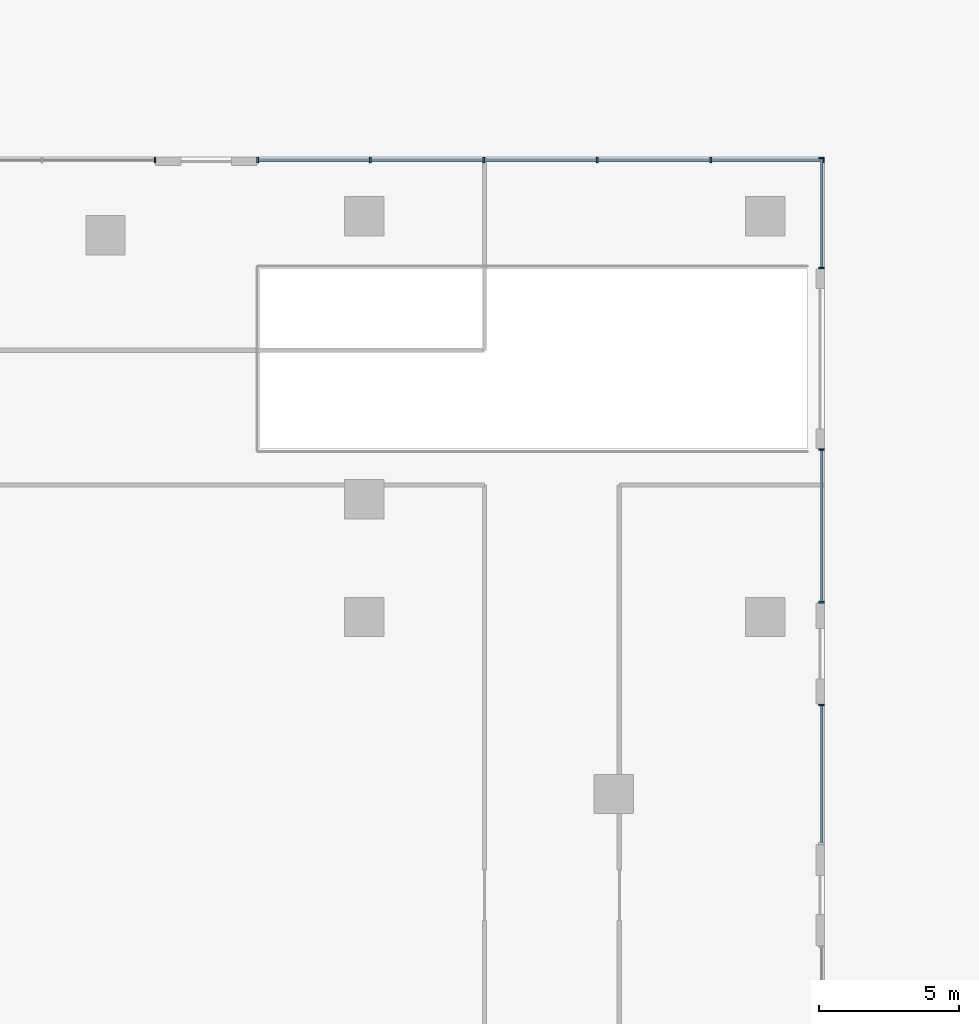
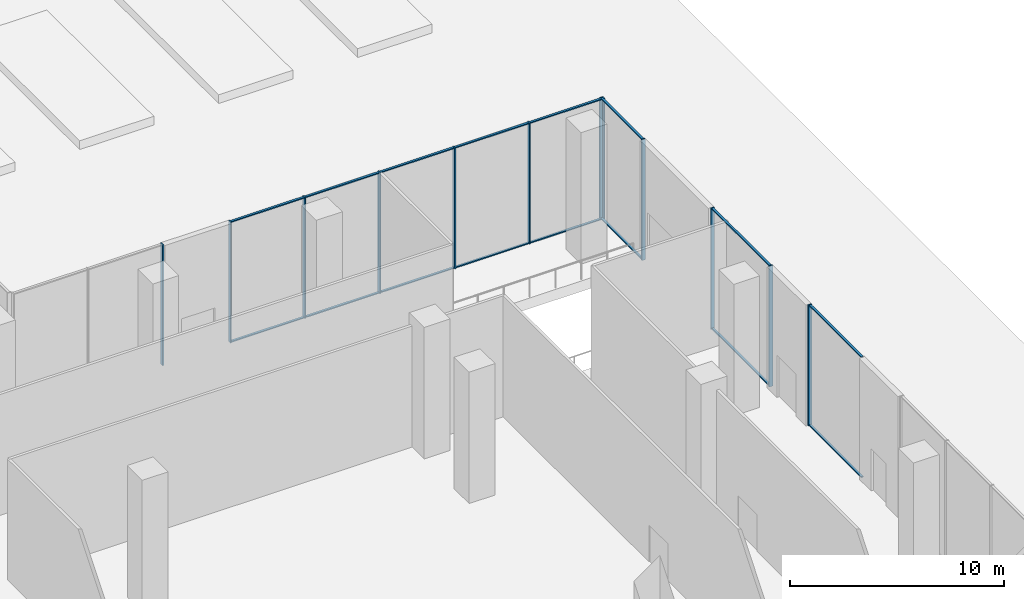
# One storey, part 8 of 26: 28 members, 5 elements without a shape of their own.
"""IFC4 building model written with IfcOpenShell, lengths in metres."""

from ifc_helpers import new_model, si_unit, direction, frame, origin, origin_2d, place, context, subcontext, project, spatial, rectangle, extrude, source, transform, mapped, material, layer, layer_set, material_profile, profile_set, type_object, element, aggregate, save


model = new_model("IFC4")

# Units and contexts
model_context = context("Model", 3, precision=1e-05, world=origin(), true_north=direction((0.0, 1.0)))
body_context = subcontext(model_context, "Body", "Model", "MODEL_VIEW")
ifc_project = project(units=[si_unit("LENGTHUNIT", "METRE"), si_unit("AREAUNIT", "SQUARE_METRE"), si_unit("VOLUMEUNIT", "CUBIC_METRE"), si_unit("PLANEANGLEUNIT", "RADIAN"), si_unit("MASSUNIT", "GRAM", prefix="KILO")], contexts=[model_context])

# Site, building, storey
site_placement = place(None, origin())
site = spatial("IfcSite", under=ifc_project, at=site_placement, CompositionType="ELEMENT")
building_placement = place(site_placement, origin())
building = spatial("IfcBuilding", under=site, at=building_placement, Name="Aurelian Terraces", CompositionType="ELEMENT")
storey_placement = place(building_placement, origin())
storey = spatial("IfcBuildingStorey", under=building, at=storey_placement, Name="L00", CompositionType="ELEMENT", Elevation=0.0)

# Curtain wall, member
ifc_material_1 = material(Name="Anodised aluminium and clear glazing", Category="aluminium")
ifc_layer = layer(ifc_material_1, 0.2)
ifc_layer_set = layer_set([ifc_layer], Name="Podium shopfront curtain wall")
curtain_wall_type = type_object("IfcCurtainWallType", Name="Podium shopfront curtain wall", PredefinedType="NOTDEFINED", material=ifc_layer_set)
curtain_wall_1_placement = place(storey_placement, origin())
curtain_wall_1 = element("IfcCurtainWall", 1, at=curtain_wall_1_placement, inside=storey, type_object=curtain_wall_type, Name="Podium shopfront L00 F02.5", PredefinedType="NOTDEFINED")
ifc_material_2 = material(Name="Anodised aluminium", Category="aluminium")
ifc_material_profile_1 = material_profile(ifc_material_2, rectangle(XDim=0.12, YDim=0.06, at=origin_2d()))
ifc_profile_set_1 = profile_set([ifc_material_profile_1], Name="Anodised aluminium")
member_type_1 = type_object("IfcMemberType", Name="Podium shopfront transom", PredefinedType="USERDEFINED", material=ifc_profile_set_1)
member_1_placement = place(storey_placement, frame((86.0, 29.76, 0.03), z_axis=(0.0, 1.0, 0.0), x_axis=(-1.0, 0.0, 0.0)))
member_1 = element("IfcMember", 2, at=member_1_placement, type_object=member_type_1, Name="CW1 transom 1.1", ObjectType="TRANSOM", PredefinedType="USERDEFINED", context=body_context, shape_type="SweptSolid", body=[
    extrude(rectangle(XDim=0.12, YDim=0.06, at=origin_2d()), origin(), (0.0, 0.0, 1.0), 4.88),
])

curtain_wall_2_placement = place(storey_placement, origin())
curtain_wall_2 = element("IfcCurtainWall", 3, at=curtain_wall_2_placement, inside=storey, type_object=curtain_wall_type, Name="Podium shopfront L00 F02.7", PredefinedType="NOTDEFINED")
member_2_placement = place(storey_placement, frame((86.0, 38.36, 0.03), z_axis=(0.0, 1.0, 0.0), x_axis=(-1.0, 0.0, 0.0)))
member_2 = element("IfcMember", 4, at=member_2_placement, type_object=member_type_1, Name="CW1 transom 1.1", ObjectType="TRANSOM", PredefinedType="USERDEFINED", context=body_context, shape_type="SweptSolid", body=[
    extrude(rectangle(XDim=0.12, YDim=0.06, at=origin_2d()), origin(), (0.0, 0.0, 1.0), 5.38),
])

curtain_wall_3_placement = place(storey_placement, origin())
curtain_wall_3 = element("IfcCurtainWall", 5, at=curtain_wall_3_placement, inside=storey, type_object=curtain_wall_type, Name="Podium shopfront L00 F02.9", PredefinedType="NOTDEFINED")
member_3_placement = place(storey_placement, frame((86.0, 50.26, 0.03), z_axis=(0.0, 1.0, 0.0), x_axis=(-1.0, 0.0, 0.0)))
member_3 = element("IfcMember", 6, at=member_3_placement, type_object=member_type_1, Name="CW1 transom 1.1", ObjectType="TRANSOM", PredefinedType="USERDEFINED", context=body_context, shape_type="SweptSolid", body=[
    extrude(rectangle(XDim=0.12, YDim=0.06, at=origin_2d()), origin(), (0.0, 0.0, 1.0), 3.86),
])

# Curtain wall, members
curtain_wall_4_placement = place(storey_placement, origin())
curtain_wall_4 = element("IfcCurtainWall", 7, at=curtain_wall_4_placement, inside=storey, type_object=curtain_wall_type, Name="Podium shopfront L00 F03.1", PredefinedType="NOTDEFINED")
member_4_placement = place(storey_placement, frame((86.04, 54.08, 0.03), z_axis=(-1.0, 0.0, 0.0), x_axis=(0.0, -1.0, 0.0)))
member_4 = element("IfcMember", 8, at=member_4_placement, type_object=member_type_1, Name="CW1 transom 1.1", ObjectType="TRANSOM", PredefinedType="USERDEFINED", context=body_context, shape_type="SweptSolid", body=[
    extrude(rectangle(XDim=0.12, YDim=0.06, at=origin_2d()), origin(), (0.0, 0.0, 1.0), 3.952),
])
member_5_placement = place(storey_placement, frame((82.028, 54.08, 0.03), z_axis=(-1.0, 0.0, 0.0), x_axis=(0.0, -1.0, 0.0)))
member_5 = element("IfcMember", 9, at=member_5_placement, type_object=member_type_1, Name="CW1 transom 2.1", ObjectType="TRANSOM", PredefinedType="USERDEFINED", context=body_context, shape_type="SweptSolid", body=[
    extrude(rectangle(XDim=0.12, YDim=0.06, at=origin_2d()), origin(), (0.0, 0.0, 1.0), 3.982),
])

# Member
ifc_material_profile_2 = material_profile(ifc_material_2, rectangle(XDim=0.2, YDim=0.06, at=origin_2d()))
ifc_profile_set_2 = profile_set([ifc_material_profile_2], Name="Anodised aluminium")
member_type_2 = type_object("IfcMemberType", Name="Podium shopfront mullion", PredefinedType="MULLION", material=ifc_profile_set_2)
shared_shape_1 = source(origin(), body_context, "Body", "SweptSolid", [
    extrude(rectangle(XDim=0.2, YDim=0.06, at=origin_2d()), origin(), (0.0, 0.0, 1.0), 6.9),
])
member_6_placement = place(storey_placement, frame((86.0, 34.67, 0.0), z_axis=(0.0, 0.0, 1.0), x_axis=(-1.0, 0.0, 0.0)))
member_6 = element("IfcMember", 10, at=member_6_placement, type_object=member_type_2, Name="CW1 mullion 2", PredefinedType="MULLION", context=body_context, shape_type="MappedRepresentation", body=[
    mapped(shared_shape_1, transform((0.0, 0.0, 0.0), scale=1.0)),
])

member_7_placement = place(storey_placement, frame((86.0, 38.33, 0.0), z_axis=(0.0, 0.0, 1.0), x_axis=(-1.0, 0.0, 0.0)))
member_7 = element("IfcMember", 11, at=member_7_placement, type_object=member_type_2, Name="CW1 mullion 1", PredefinedType="MULLION", context=body_context, shape_type="MappedRepresentation", body=[
    mapped(shared_shape_1, transform((0.0, 0.0, 0.0), scale=1.0)),
])

member_8_placement = place(storey_placement, frame((86.0, 43.77, 0.0), z_axis=(0.0, 0.0, 1.0), x_axis=(-1.0, 0.0, 0.0)))
member_8 = element("IfcMember", 12, at=member_8_placement, type_object=member_type_2, Name="CW1 mullion 2", PredefinedType="MULLION", context=body_context, shape_type="MappedRepresentation", body=[
    mapped(shared_shape_1, transform((0.0, 0.0, 0.0), scale=1.0)),
])

member_9_placement = place(storey_placement, frame((86.0, 50.23, 0.0), z_axis=(0.0, 0.0, 1.0), x_axis=(-1.0, 0.0, 0.0)))
member_9 = element("IfcMember", 13, at=member_9_placement, type_object=member_type_2, Name="CW1 mullion 1", PredefinedType="MULLION", context=body_context, shape_type="MappedRepresentation", body=[
    mapped(shared_shape_1, transform((0.0, 0.0, 0.0), scale=1.0)),
])

member_10_placement = place(storey_placement, frame((86.0, 54.15, 0.0), z_axis=(0.0, 0.0, 1.0), x_axis=(-1.0, 0.0, 0.0)))
member_10 = element("IfcMember", 14, at=member_10_placement, type_object=member_type_2, Name="CW1 mullion 2", PredefinedType="MULLION", context=body_context, shape_type="MappedRepresentation", body=[
    mapped(shared_shape_1, transform((0.0, 0.0, 0.0), scale=1.0)),
])

member_11_placement = place(storey_placement, frame((86.07, 54.08, 0.0), z_axis=(0.0, 0.0, 1.0), x_axis=(0.0, -1.0, 0.0)))
member_11 = element("IfcMember", 15, at=member_11_placement, type_object=member_type_2, Name="CW1 mullion 1", PredefinedType="MULLION", context=body_context, shape_type="MappedRepresentation", body=[
    mapped(shared_shape_1, transform((0.0, 0.0, 0.0), scale=1.0)),
])

member_12_placement = place(storey_placement, frame((82.058, 54.08, 0.0), z_axis=(0.0, 0.0, 1.0), x_axis=(0.0, -1.0, 0.0)))
member_12 = element("IfcMember", 16, at=member_12_placement, type_object=member_type_2, Name="CW1 mullion 2", PredefinedType="MULLION", context=body_context, shape_type="MappedRepresentation", body=[
    mapped(shared_shape_1, transform((0.0, 0.0, 0.0), scale=1.0)),
])

member_13_placement = place(storey_placement, frame((78.016, 54.08, 0.0), z_axis=(0.0, 0.0, 1.0), x_axis=(0.0, -1.0, 0.0)))
member_13 = element("IfcMember", 17, at=member_13_placement, type_object=member_type_2, Name="CW1 mullion 3", PredefinedType="MULLION", context=body_context, shape_type="MappedRepresentation", body=[
    mapped(shared_shape_1, transform((0.0, 0.0, 0.0), scale=1.0)),
])

member_14_placement = place(storey_placement, frame((73.974, 54.08, 0.0), z_axis=(0.0, 0.0, 1.0), x_axis=(0.0, -1.0, 0.0)))
member_14 = element("IfcMember", 18, at=member_14_placement, type_object=member_type_2, Name="CW1 mullion 4", PredefinedType="MULLION", context=body_context, shape_type="MappedRepresentation", body=[
    mapped(shared_shape_1, transform((0.0, 0.0, 0.0), scale=1.0)),
])

member_15_placement = place(storey_placement, frame((69.932, 54.08, 0.0), z_axis=(0.0, 0.0, 1.0), x_axis=(0.0, -1.0, 0.0)))
member_15 = element("IfcMember", 19, at=member_15_placement, type_object=member_type_2, Name="CW1 mullion 5", PredefinedType="MULLION", context=body_context, shape_type="MappedRepresentation", body=[
    mapped(shared_shape_1, transform((0.0, 0.0, 0.0), scale=1.0)),
])

member_16_placement = place(storey_placement, frame((65.92, 54.08, 0.0), z_axis=(0.0, 0.0, 1.0), x_axis=(0.0, -1.0, 0.0)))
member_16 = element("IfcMember", 20, at=member_16_placement, type_object=member_type_2, Name="CW1 mullion 6", PredefinedType="MULLION", context=body_context, shape_type="MappedRepresentation", body=[
    mapped(shared_shape_1, transform((0.0, 0.0, 0.0), scale=1.0)),
])

# Curtain wall, member
curtain_wall_5_placement = place(storey_placement, origin())
curtain_wall_5 = element("IfcCurtainWall", 21, at=curtain_wall_5_placement, inside=storey, type_object=curtain_wall_type, Name="Podium shopfront L00 F03.3", PredefinedType="NOTDEFINED")
member_17_placement = place(storey_placement, frame((62.26, 54.08, 0.0), z_axis=(0.0, 0.0, 1.0), x_axis=(0.0, -1.0, 0.0)))
member_17 = element("IfcMember", 22, at=member_17_placement, type_object=member_type_2, Name="CW1 mullion 1", PredefinedType="MULLION", context=body_context, shape_type="MappedRepresentation", body=[
    mapped(shared_shape_1, transform((0.0, 0.0, 0.0), scale=1.0)),
])
aggregate(curtain_wall_5, [member_17])

# Member
shared_shape_2 = source(origin(), body_context, "Body", "SweptSolid", [
    extrude(rectangle(XDim=0.12, YDim=0.06, at=origin_2d()), origin(), (0.0, 0.0, 1.0), 4.88),
])
member_18_placement = place(storey_placement, frame((86.0, 29.76, 6.87), z_axis=(0.0, 1.0, 0.0), x_axis=(-1.0, 0.0, 0.0)))
member_18 = element("IfcMember", 23, at=member_18_placement, type_object=member_type_1, Name="CW1 transom 1.2", ObjectType="TRANSOM", PredefinedType="USERDEFINED", context=body_context, shape_type="MappedRepresentation", body=[
    mapped(shared_shape_2, transform((0.0, 0.0, 0.0), scale=1.0)),
])

aggregate(curtain_wall_1, [member_6, member_1, member_18])

shared_shape_3 = source(origin(), body_context, "Body", "SweptSolid", [
    extrude(rectangle(XDim=0.12, YDim=0.06, at=origin_2d()), origin(), (0.0, 0.0, 1.0), 5.38),
])
member_19_placement = place(storey_placement, frame((86.0, 38.36, 6.87), z_axis=(0.0, 1.0, 0.0), x_axis=(-1.0, 0.0, 0.0)))
member_19 = element("IfcMember", 24, at=member_19_placement, type_object=member_type_1, Name="CW1 transom 1.2", ObjectType="TRANSOM", PredefinedType="USERDEFINED", context=body_context, shape_type="MappedRepresentation", body=[
    mapped(shared_shape_3, transform((0.0, 0.0, 0.0), scale=1.0)),
])

aggregate(curtain_wall_2, [member_7, member_8, member_2, member_19])

shared_shape_4 = source(origin(), body_context, "Body", "SweptSolid", [
    extrude(rectangle(XDim=0.12, YDim=0.06, at=origin_2d()), origin(), (0.0, 0.0, 1.0), 3.86),
])
member_20_placement = place(storey_placement, frame((86.0, 50.26, 6.87), z_axis=(0.0, 1.0, 0.0), x_axis=(-1.0, 0.0, 0.0)))
member_20 = element("IfcMember", 25, at=member_20_placement, type_object=member_type_1, Name="CW1 transom 1.2", ObjectType="TRANSOM", PredefinedType="USERDEFINED", context=body_context, shape_type="MappedRepresentation", body=[
    mapped(shared_shape_4, transform((0.0, 0.0, 0.0), scale=1.0)),
])

aggregate(curtain_wall_3, [member_9, member_10, member_3, member_20])

shared_shape_5 = source(origin(), body_context, "Body", "SweptSolid", [
    extrude(rectangle(XDim=0.12, YDim=0.06, at=origin_2d()), origin(), (0.0, 0.0, 1.0), 3.952),
])
member_21_placement = place(storey_placement, frame((86.04, 54.08, 6.87), z_axis=(-1.0, 0.0, 0.0), x_axis=(0.0, -1.0, 0.0)))
member_21 = element("IfcMember", 26, at=member_21_placement, type_object=member_type_1, Name="CW1 transom 1.2", ObjectType="TRANSOM", PredefinedType="USERDEFINED", context=body_context, shape_type="MappedRepresentation", body=[
    mapped(shared_shape_5, transform((0.0, 0.0, 0.0), scale=1.0)),
])

member_22_placement = place(storey_placement, frame((69.902, 54.08, 0.03), z_axis=(-1.0, 0.0, 0.0), x_axis=(0.0, -1.0, 0.0)))
member_22 = element("IfcMember", 27, at=member_22_placement, type_object=member_type_1, Name="CW1 transom 5.1", ObjectType="TRANSOM", PredefinedType="USERDEFINED", context=body_context, shape_type="MappedRepresentation", body=[
    mapped(shared_shape_5, transform((0.0, 0.0, 0.0), scale=1.0)),
])

member_23_placement = place(storey_placement, frame((69.902, 54.08, 6.87), z_axis=(-1.0, 0.0, 0.0), x_axis=(0.0, -1.0, 0.0)))
member_23 = element("IfcMember", 28, at=member_23_placement, type_object=member_type_1, Name="CW1 transom 5.2", ObjectType="TRANSOM", PredefinedType="USERDEFINED", context=body_context, shape_type="MappedRepresentation", body=[
    mapped(shared_shape_5, transform((0.0, 0.0, 0.0), scale=1.0)),
])

shared_shape_6 = source(origin(), body_context, "Body", "SweptSolid", [
    extrude(rectangle(XDim=0.12, YDim=0.06, at=origin_2d()), origin(), (0.0, 0.0, 1.0), 3.982),
])
member_24_placement = place(storey_placement, frame((82.028, 54.08, 6.87), z_axis=(-1.0, 0.0, 0.0), x_axis=(0.0, -1.0, 0.0)))
member_24 = element("IfcMember", 29, at=member_24_placement, type_object=member_type_1, Name="CW1 transom 2.2", ObjectType="TRANSOM", PredefinedType="USERDEFINED", context=body_context, shape_type="MappedRepresentation", body=[
    mapped(shared_shape_6, transform((0.0, 0.0, 0.0), scale=1.0)),
])

member_25_placement = place(storey_placement, frame((77.986, 54.08, 0.03), z_axis=(-1.0, 0.0, 0.0), x_axis=(0.0, -1.0, 0.0)))
member_25 = element("IfcMember", 30, at=member_25_placement, type_object=member_type_1, Name="CW1 transom 3.1", ObjectType="TRANSOM", PredefinedType="USERDEFINED", context=body_context, shape_type="MappedRepresentation", body=[
    mapped(shared_shape_6, transform((0.0, 0.0, 0.0), scale=1.0)),
])

member_26_placement = place(storey_placement, frame((77.986, 54.08, 6.87), z_axis=(-1.0, 0.0, 0.0), x_axis=(0.0, -1.0, 0.0)))
member_26 = element("IfcMember", 31, at=member_26_placement, type_object=member_type_1, Name="CW1 transom 3.2", ObjectType="TRANSOM", PredefinedType="USERDEFINED", context=body_context, shape_type="MappedRepresentation", body=[
    mapped(shared_shape_6, transform((0.0, 0.0, 0.0), scale=1.0)),
])

member_27_placement = place(storey_placement, frame((73.944, 54.08, 0.03), z_axis=(-1.0, 0.0, 0.0), x_axis=(0.0, -1.0, 0.0)))
member_27 = element("IfcMember", 32, at=member_27_placement, type_object=member_type_1, Name="CW1 transom 4.1", ObjectType="TRANSOM", PredefinedType="USERDEFINED", context=body_context, shape_type="MappedRepresentation", body=[
    mapped(shared_shape_6, transform((0.0, 0.0, 0.0), scale=1.0)),
])

member_28_placement = place(storey_placement, frame((73.944, 54.08, 6.87), z_axis=(-1.0, 0.0, 0.0), x_axis=(0.0, -1.0, 0.0)))
member_28 = element("IfcMember", 33, at=member_28_placement, type_object=member_type_1, Name="CW1 transom 4.2", ObjectType="TRANSOM", PredefinedType="USERDEFINED", context=body_context, shape_type="MappedRepresentation", body=[
    mapped(shared_shape_6, transform((0.0, 0.0, 0.0), scale=1.0)),
])

aggregate(curtain_wall_4, [member_11, member_12, member_13, member_14, member_15, member_16, member_4, member_21, member_5, member_24, member_25, member_26, member_27, member_28, member_22, member_23])

save(model, "model.ifc")
